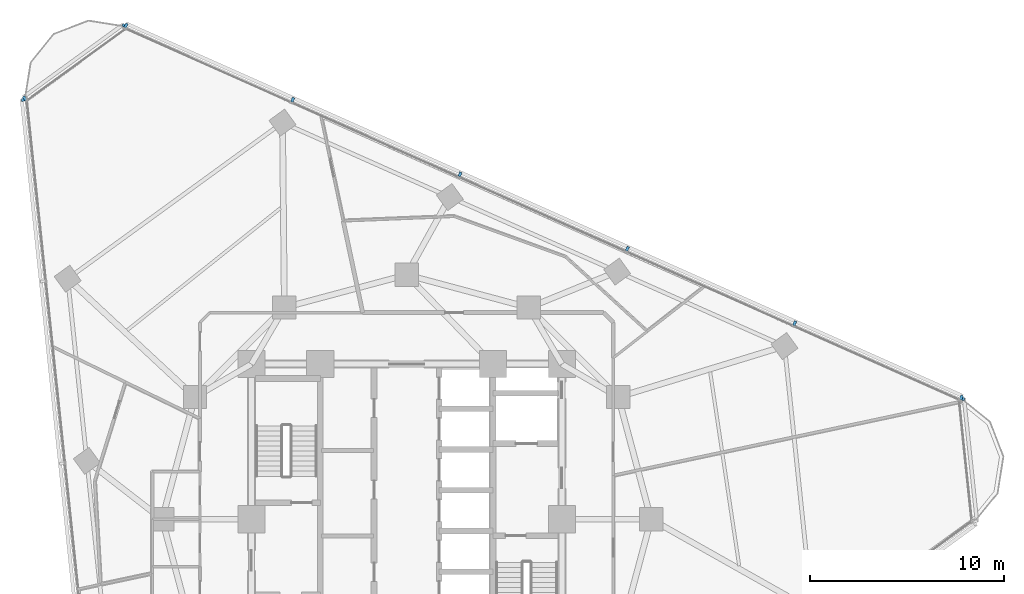
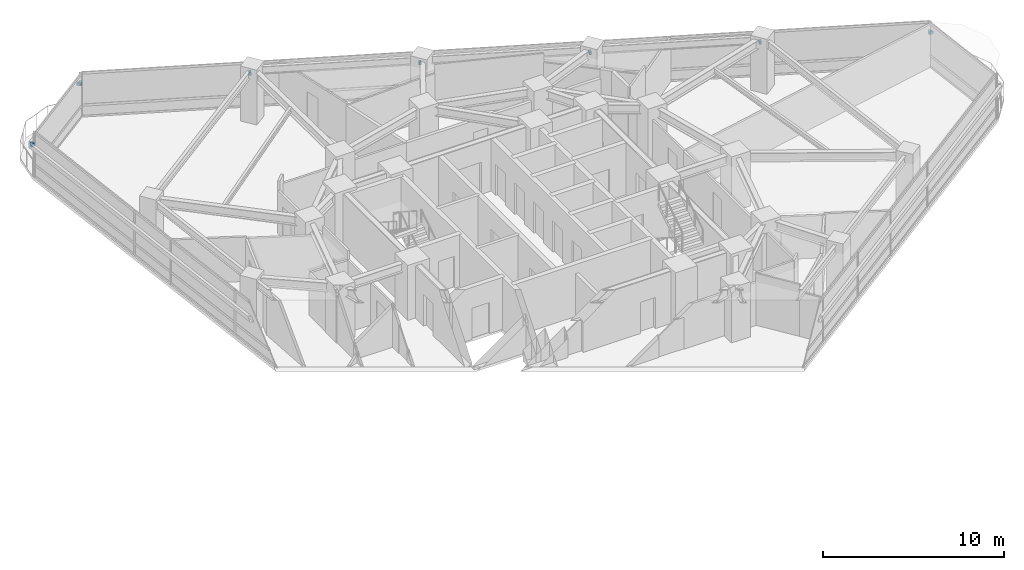
# One storey, part 11 of 14: 10 discrete accessories.
"""IFC4 building model written with IfcOpenShell, lengths in metres."""

from ifc_helpers import new_model, si_unit, direction, frame, origin, origin_2d, place, context, subcontext, project, spatial, rectangle, extrude, material, type_object, element, save


model = new_model("IFC4")

# Units and contexts
model_context = context("Model", 3, precision=1e-05, world=origin(), true_north=direction((0.0, 1.0)))
body_context = subcontext(model_context, "Body", "Model", "MODEL_VIEW")
ifc_project = project(units=[si_unit("LENGTHUNIT", "METRE"), si_unit("AREAUNIT", "SQUARE_METRE"), si_unit("VOLUMEUNIT", "CUBIC_METRE"), si_unit("PLANEANGLEUNIT", "RADIAN"), si_unit("MASSUNIT", "GRAM", prefix="KILO")], contexts=[model_context])

# Site, building, storey
site_placement = place(None, origin())
site = spatial("IfcSite", under=ifc_project, at=site_placement, CompositionType="ELEMENT")
building_placement = place(site_placement, origin())
building = spatial("IfcBuilding", under=site, at=building_placement, Name="Terralouvre Media Tower", CompositionType="ELEMENT")
storey_placement = place(building_placement, frame((0.0, 0.0, 165.699951171875)))
storey = spatial("IfcBuildingStorey", under=building, at=storey_placement, Name="L42", CompositionType="ELEMENT", Elevation=165.699951171875)

# Discrete accessories
ifc_material = material(Name="Anodised extruded aluminium 6063-T6", Category="aluminium")
discrete_accessory_type = type_object("IfcDiscreteAccessoryType", Name="Mullion Stand-Off Baguette Fixing Bracket BK-01", PredefinedType="BRACKET", material=ifc_material)
for number, where, z_axis, x_axis, name in (
    (1, (28.588623046875, 6.280517578125, 2.07421875), (0.0, 0.0, 1.0), (-0.913545469547, 0.406736616337, 0.0), "CW-L42-F1 Baguette Outrigger Bracket 1.01"),
    (2, (19.9990234375, 10.104736328125, 2.07421875), (0.0, 0.0, 1.0), (-0.913545469547, 0.406736616337, 0.0), "CW-L42-F1 Baguette Outrigger Bracket 1.02"),
    (3, (11.375, 13.9443359375, 2.07421875), (0.0, 0.0, 1.0), (-0.913545469547, 0.406736616337, 0.0), "CW-L42-F1 Baguette Outrigger Bracket 1.03"),
    (4, (2.751220703125, 17.783935546875, 2.07421875), (0.0, 0.0, 1.0), (-0.913545469547, 0.406736616337, 0.0), "CW-L42-F1 Baguette Outrigger Bracket 1.04"),
    (5, (-5.87255859375, 21.62353515625, 2.07421875), (0.0, 0.0, 1.0), (-0.913545469547, 0.406736616337, 0.0), "CW-L42-F1 Baguette Outrigger Bracket 1.05"),
    (6, (-14.462158203125, 25.44775390625, 2.07421875), (0.0, 0.0, 1.0), (-0.913545469547, 0.406736616337, 0.0), "CW-L42-F1 Baguette Outrigger Bracket 1.06"),
    (7, (-19.7333984375, 21.6181640625, 2.07421875), (0.0, 0.0, 1.0), (0.104528376236, -0.994521904516, 0.0), "CW-L42-F2 Baguette Outrigger Bracket 1.01"),
    (8, (28.63037109375, 6.193359375, 2.07421875), (0.0, 0.0, 1.0), (-0.10452850319, 0.994521891172, 0.0), "CW-L42-C1 Baguette Outrigger Bracket 1.02"),
    (9, (-14.554931640625, 25.420654296875, 2.07421875), (0.0, 0.0, 1.0), (-0.809017438344, -0.587784641221, 0.0), "CW-L42-C2 Baguette Outrigger Bracket 1.01"),
    (10, (-19.678955078125, 21.697998046875, 2.07421875), (0.0, 0.0, 1.0), (-0.809017438344, -0.587784641221, 0.0), "CW-L42-C2 Baguette Outrigger Bracket 1.02"),
):
    element("IfcDiscreteAccessory", number, at=place(storey_placement, frame(where, z_axis=z_axis, x_axis=x_axis)), inside=storey, type_object=discrete_accessory_type, Name=name, PredefinedType="BRACKET", context=body_context, shape_type="SweptSolid", body=[
        extrude(rectangle(XDim=0.139892578125, YDim=0.239990234375, at=origin_2d()), origin(), (0.0, 0.0, 1.0), 0.179931640625),
    ])

save(model, "model.ifc")
